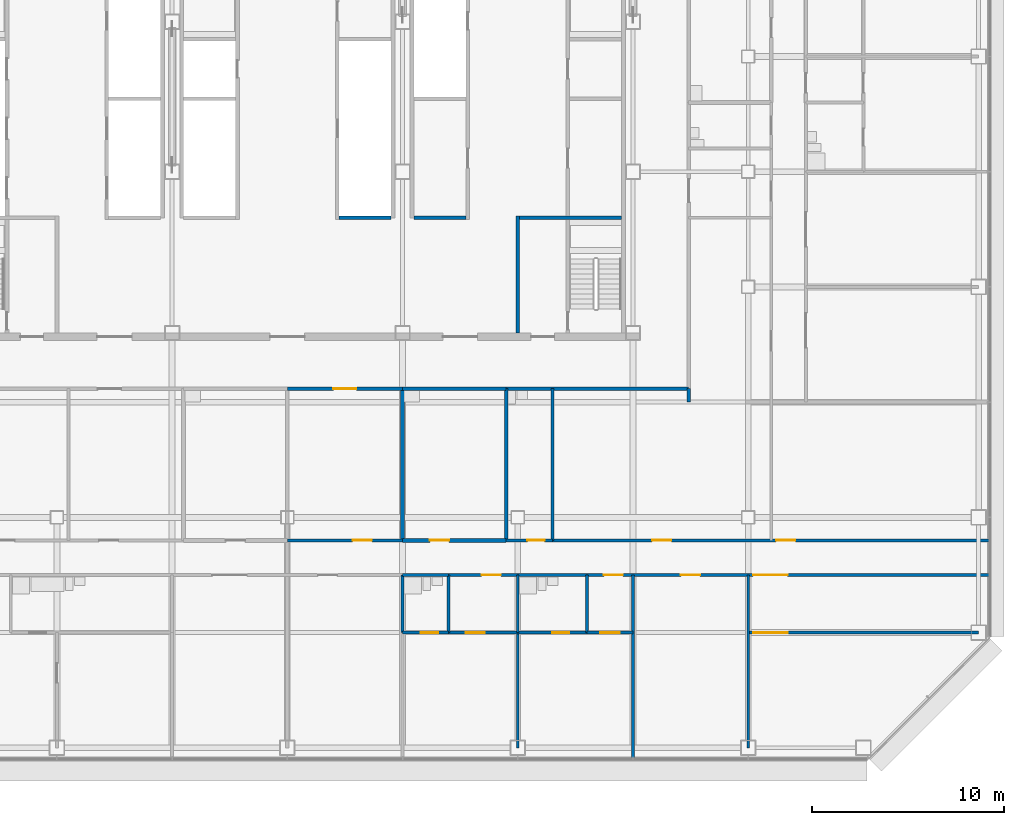
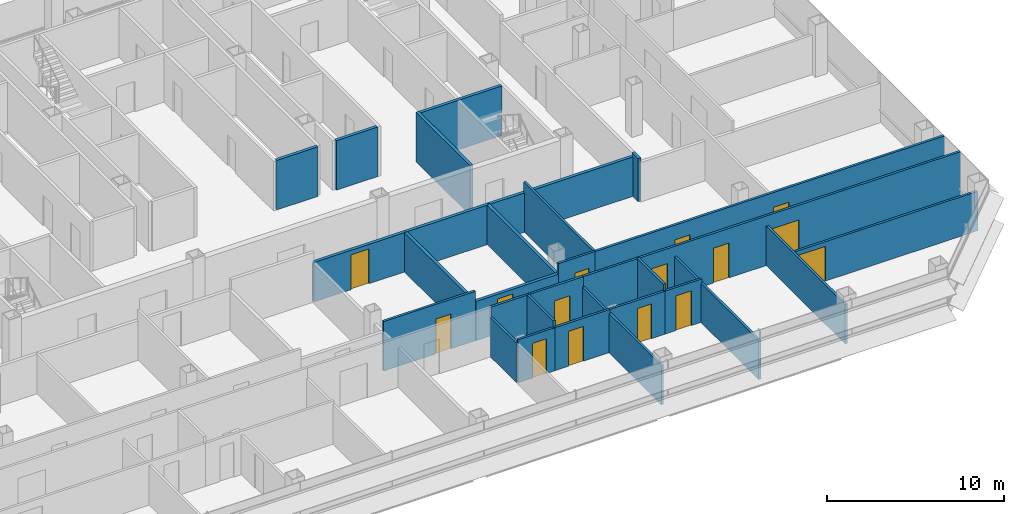
# One storey, part 20 of 25: 31 walls, 15 doors, 15 openings.
"""IFC4 building model written with IfcOpenShell, lengths in metres."""

from ifc_helpers import new_model, si_unit, direction, frame, frame_2d, origin, place, context, subcontext, project, spatial, rectangle, extrude, material, layer, layer_set, type_object, element, fill, save


model = new_model("IFC4")

# Units and contexts
model_context = context("Model", 3, precision=1e-05, world=origin(), true_north=direction((0.0, 1.0)))
body_context = subcontext(model_context, "Body", "Model", "MODEL_VIEW")
ifc_project = project(units=[si_unit("LENGTHUNIT", "METRE"), si_unit("AREAUNIT", "SQUARE_METRE"), si_unit("VOLUMEUNIT", "CUBIC_METRE"), si_unit("PLANEANGLEUNIT", "RADIAN"), si_unit("MASSUNIT", "GRAM", prefix="KILO")], contexts=[model_context])

# Site, building, storey
site_placement = place(None, origin())
site = spatial("IfcSite", under=ifc_project, at=site_placement, CompositionType="ELEMENT")
building_placement = place(site_placement, origin())
building = spatial("IfcBuilding", under=site, at=building_placement, Name="Sorahane Residences", CompositionType="ELEMENT")
storey_placement = place(building_placement, frame((0.0, 0.0, 119.60009765625)))
storey = spatial("IfcBuildingStorey", under=building, at=storey_placement, Name="L26", CompositionType="ELEMENT", Elevation=119.60009765625)

# Wall, opening, door
ifc_material_1 = material(Name="Concrete blockwork C20 wall", Category="masonry")
ifc_layer_1 = layer(ifc_material_1, 0.199951171875)
ifc_layer_set_1 = layer_set([ifc_layer_1], Name="Corridor wall 200 EI 120")
wall_type_1 = type_object("IfcWallType", Name="Corridor wall 200 EI 120", PredefinedType="SOLIDWALL", material=ifc_layer_set_1)
wall_1_placement = place(storey_placement, frame((24.0, 18.699951171875, 0.0), z_axis=(0.0, 0.0, 1.0), x_axis=(1.0, 0.0, 0.0)))
wall_1 = element("IfcWall", 1, at=wall_1_placement, inside=storey, type_object=wall_type_1, Name="L26 corridor wall", PredefinedType="SOLIDWALL", context=body_context, shape_type="SweptSolid", body=[
    extrude(rectangle(XDim=6.0, YDim=0.199951171875, at=frame_2d((3.0, 0.0))), origin(), (0.0, 0.0, 1.0), 2.719970703125),
])
opening_1_placement = place(wall_1_placement, frame((2.39990234375, 0.0, 0.0)))
opening_1 = element("IfcOpeningElement", 2, at=opening_1_placement, cuts=wall_1, Name="Opening L26-41", PredefinedType="OPENING", context=body_context, shape_type="SweptSolid", body=[
    extrude(rectangle(XDim=1.199951171875, YDim=2.39990234375, at=frame_2d((0.60009765625, 1.199951171875))), frame((0.0, 0.10986328125, 0.0), z_axis=(0.0, -1.0, 0.0), x_axis=(1.0, 0.0, 0.0)), (0.0, 0.0, 1.0), 0.219970703125),
])
ifc_material_2 = material(Name="Timber veneered fire door", Category="wood")
door_type_1 = type_object("IfcDoorType", Name="Flat entrance door 1200x2400 FD60", OperationType="NOTDEFINED", PredefinedType="DOOR", material=ifc_material_2)
door_1_placement = place(opening_1_placement, frame((1.199951171875, 0.0, 0.0), z_axis=(0.0, 0.0, 1.0), x_axis=(-1.0, 0.0, 0.0)))
door_1 = element("IfcDoor", 3, at=door_1_placement, inside=storey, type_object=door_type_1, Name="Flat entrance door L26-41", OperationType="SINGLE_SWING_LEFT", OverallHeight=2.39990234375, OverallWidth=1.199951171875, PredefinedType="DOOR", context=body_context, shape_type="SweptSolid", body=[
    extrude(rectangle(XDim=1.199951171875, YDim=2.39990234375, at=frame_2d((0.60009765625, 1.199951171875))), frame((0.0, 0.02490234375, 0.0), z_axis=(0.0, -1.0, 0.0), x_axis=(1.0, 0.0, 0.0)), (0.0, 0.0, 1.0), 0.050048828125),
])
fill(opening_1, door_1)

# Walls
wall_2_placement = place(storey_placement, frame((35.39990234375, 18.699951171875, 0.0), z_axis=(0.0, 0.0, 1.0), x_axis=(1.0, 0.0, 0.0)))
element("IfcWall", 4, at=wall_2_placement, inside=storey, type_object=wall_type_1, Name="L26 corridor wall", PredefinedType="SOLIDWALL", context=body_context, shape_type="SweptSolid", body=[
    extrude(rectangle(XDim=9.5, YDim=0.199951171875, at=frame_2d((4.75, 0.0))), origin(), (0.0, 0.0, 1.0), 2.719970703125),
])
ifc_material_3 = material(Name="Concrete C30", Category="concrete")
ifc_layer_2 = layer(ifc_material_3, 0.199951171875)
ifc_layer_set_2 = layer_set([ifc_layer_2], Name="Front room wall 200 EI 120")
wall_type_2 = type_object("IfcWallType", Name="Front room wall 200 EI 120", PredefinedType="PARTITIONING", material=ifc_layer_set_2)
wall_3_placement = place(storey_placement, frame((36.0, 21.60009765625, 0.0), z_axis=(0.0, 0.0, 1.0), x_axis=(0.0, 1.0, 0.0)))
element("IfcWall", 5, at=wall_3_placement, inside=storey, type_object=wall_type_2, Name="L26 front room wall", PredefinedType="PARTITIONING", context=body_context, shape_type="SweptSolid", body=[
    extrude(rectangle(XDim=6.099853515625, YDim=0.199951171875, at=frame_2d((3.0498046875, 0.0))), origin(), (0.0, 0.0, 1.0), 3.419921875),
])
ifc_material_4 = material(Name="Concrete blockwork C20 wall", Category="masonry")
ifc_layer_3 = layer(ifc_material_4, 0.199951171875)
ifc_layer_set_3 = layer_set([ifc_layer_3], Name="Kitchen wall 200 EI 180")
wall_type_3 = type_object("IfcWallType", Name="Kitchen wall 200 EI 180", PredefinedType="SOLIDWALL", material=ifc_layer_set_3)
for number, where, z_axis, x_axis, name in (
    (6, (30.0, 10.800048828125, 0.0), (0.0, 0.0, 1.0), (0.0, 1.0, 0.0), "L26 kitchen wall"),
    (7, (35.39990234375, 10.800048828125, 0.0), (0.0, 0.0, 1.0), (0.0, 1.0, 0.0), "L26 kitchen wall"),
):
    element("IfcWall", number, at=place(storey_placement, frame(where, z_axis=z_axis, x_axis=x_axis)), inside=storey, type_object=wall_type_3, Name=name, PredefinedType="SOLIDWALL", context=body_context, shape_type="SweptSolid", body=[
        extrude(rectangle(XDim=7.89990234375, YDim=0.199951171875, at=frame_2d((3.949951171875, 0.0))), origin(), (0.0, 0.0, 1.0), 2.719970703125),
    ])

# Wall, opening, door
wall_4_placement = place(storey_placement, frame((30.0, 10.800048828125, 0.0), z_axis=(0.0, 0.0, 1.0), x_axis=(1.0, 0.0, 0.0)))
wall_4 = element("IfcWall", 8, at=wall_4_placement, inside=storey, type_object=wall_type_3, Name="L26 kitchen wall", PredefinedType="SOLIDWALL", context=body_context, shape_type="SweptSolid", body=[
    extrude(rectangle(XDim=5.39990234375, YDim=0.199951171875, at=frame_2d((2.699951171875, 0.0))), origin(), (0.0, 0.0, 1.0), 2.719970703125),
])
opening_2_placement = place(wall_4_placement, frame((1.419921875, 0.0, 0.0)))
opening_2 = element("IfcOpeningElement", 9, at=opening_2_placement, cuts=wall_4, Name="Opening L26-14", PredefinedType="OPENING", context=body_context, shape_type="SweptSolid", body=[
    extrude(rectangle(XDim=1.0, YDim=2.39990234375, at=frame_2d((0.5, 1.199951171875))), frame((0.0, 0.10986328125, 0.0), z_axis=(0.0, -1.0, 0.0), x_axis=(1.0, 0.0, 0.0)), (0.0, 0.0, 1.0), 0.219970703125),
])
ifc_material_5 = material(Name="Steel", Category="steel")
door_type_2 = type_object("IfcDoorType", Name="Kitchen door 1000x2400 FD120", OperationType="NOTDEFINED", PredefinedType="DOOR", material=ifc_material_5)
door_2_placement = place(opening_2_placement, origin())
door_2 = element("IfcDoor", 10, at=door_2_placement, inside=storey, type_object=door_type_2, Name="Kitchen door L26-14", OperationType="SINGLE_SWING_RIGHT", OverallHeight=2.39990234375, OverallWidth=1.0, PredefinedType="DOOR", context=body_context, shape_type="SweptSolid", body=[
    extrude(rectangle(XDim=1.0, YDim=2.39990234375, at=frame_2d((0.5, 1.199951171875))), frame((0.0, 0.02490234375, 0.0), z_axis=(0.0, -1.0, 0.0), x_axis=(1.0, 0.0, 0.0)), (0.0, 0.0, 1.0), 0.050048828125),
])
fill(opening_2, door_2)

# Walls
wall_5_placement = place(storey_placement, frame((30.0, 18.699951171875, 0.0), z_axis=(0.0, 0.0, 1.0), x_axis=(1.0, 0.0, 0.0)))
element("IfcWall", 11, at=wall_5_placement, inside=storey, type_object=wall_type_3, Name="L26 kitchen wall", PredefinedType="SOLIDWALL", context=body_context, shape_type="SweptSolid", body=[
    extrude(rectangle(XDim=5.39990234375, YDim=0.199951171875, at=frame_2d((2.699951171875, 0.0))), origin(), (0.0, 0.0, 1.0), 2.719970703125),
])
ifc_material_6 = material(Name="Gypsum board partition on steel studs", Category="steel")
ifc_layer_4 = layer(ifc_material_6, 0.14990234375)
ifc_layer_set_4 = layer_set([ifc_layer_4], Name="Partition 150 EI 90")
wall_type_4 = type_object("IfcWallType", Name="Partition 150 EI 90", PredefinedType="PARTITIONING", material=ifc_layer_set_4)
wall_6_placement = place(storey_placement, frame((36.0, 0.0, 0.0), z_axis=(0.0, 0.0, 1.0), x_axis=(0.0, 1.0, 0.0)))
element("IfcWall", 12, at=wall_6_placement, inside=storey, type_object=wall_type_4, Name="L26 partition", PredefinedType="PARTITIONING", context=body_context, shape_type="SweptSolid", body=[
    extrude(rectangle(XDim=6.0, YDim=0.14990234375, at=frame_2d((3.0, 0.0))), origin(), (0.0, 0.0, 1.0), 2.719970703125),
])
wall_7_placement = place(storey_placement, frame((42.0, -0.60009765625, 0.0), z_axis=(0.0, 0.0, 1.0), x_axis=(0.0, 1.0, 0.0)))
element("IfcWall", 13, at=wall_7_placement, inside=storey, type_object=wall_type_4, Name="L26 partition", PredefinedType="PARTITIONING", context=body_context, shape_type="SweptSolid", body=[
    extrude(rectangle(XDim=9.60009765625, YDim=0.14990234375, at=frame_2d((4.800048828125, 0.0))), origin(), (0.0, 0.0, 1.0), 2.719970703125),
])
wall_8_placement = place(storey_placement, frame((48.0, 0.0, 0.0), z_axis=(0.0, 0.0, 1.0), x_axis=(0.0, 1.0, 0.0)))
element("IfcWall", 14, at=wall_8_placement, inside=storey, type_object=wall_type_4, Name="L26 partition", PredefinedType="PARTITIONING", context=body_context, shape_type="SweptSolid", body=[
    extrude(rectangle(XDim=9.0, YDim=0.14990234375, at=frame_2d((4.5, 0.0))), origin(), (0.0, 0.0, 1.0), 2.719970703125),
])

# Wall, opening, door
wall_9_placement = place(storey_placement, frame((24.0, 10.800048828125, 0.0), z_axis=(0.0, 0.0, 1.0), x_axis=(1.0, 0.0, 0.0)))
wall_9 = element("IfcWall", 15, at=wall_9_placement, inside=storey, type_object=wall_type_4, Name="L26 partition", PredefinedType="PARTITIONING", context=body_context, shape_type="SweptSolid", body=[
    extrude(rectangle(XDim=6.0, YDim=0.14990234375, at=frame_2d((3.0, 0.0))), origin(), (0.0, 0.0, 1.0), 3.419921875),
])
opening_3_placement = place(wall_9_placement, frame((3.39990234375, 0.0, 0.0)))
opening_3 = element("IfcOpeningElement", 16, at=opening_3_placement, cuts=wall_9, Name="Opening L26-13", PredefinedType="OPENING", context=body_context, shape_type="SweptSolid", body=[
    extrude(rectangle(XDim=1.0, YDim=2.39990234375, at=frame_2d((0.5, 1.199951171875))), frame((0.0, 0.0849609375, 0.0), z_axis=(0.0, -1.0, 0.0), x_axis=(1.0, 0.0, 0.0)), (0.0, 0.0, 1.0), 0.169921875),
])
ifc_material_7 = material(Name="Timber veneered fire door", Category="wood")
door_type_3 = type_object("IfcDoorType", Name="Room door 1000x2400 FD30", OperationType="NOTDEFINED", PredefinedType="DOOR", material=ifc_material_7)
door_3_placement = place(opening_3_placement, frame((1.0, 0.0, 0.0), z_axis=(0.0, 0.0, 1.0), x_axis=(-1.0, 0.0, 0.0)))
door_3 = element("IfcDoor", 17, at=door_3_placement, inside=storey, type_object=door_type_3, Name="Room door L26-13", OperationType="SINGLE_SWING_RIGHT", OverallHeight=2.39990234375, OverallWidth=1.0, PredefinedType="DOOR", context=body_context, shape_type="SweptSolid", body=[
    extrude(rectangle(XDim=1.0, YDim=2.39990234375, at=frame_2d((0.5, 1.199951171875))), frame((0.0, 0.02490234375, 0.0), z_axis=(0.0, -1.0, 0.0), x_axis=(1.0, 0.0, 0.0)), (0.0, 0.0, 1.0), 0.050048828125),
])
fill(opening_3, door_3)

# Wall, openings, doors
wall_10_placement = place(storey_placement, frame((37.800048828125, 10.800048828125, 0.0), z_axis=(0.0, 0.0, 1.0), x_axis=(1.0, 0.0, 0.0)))
wall_10 = element("IfcWall", 18, at=wall_10_placement, inside=storey, type_object=wall_type_4, Name="L26 partition", PredefinedType="PARTITIONING", context=body_context, shape_type="SweptSolid", body=[
    extrude(rectangle(XDim=22.800048828125, YDim=0.14990234375, at=frame_2d((11.39990234375, 0.0))), origin(), (0.0, 0.0, 1.0), 3.419921875),
])
opening_4_placement = place(wall_10_placement, frame((5.199951171875, 0.0, 0.0)))
opening_4 = element("IfcOpeningElement", 19, at=opening_4_placement, cuts=wall_10, Name="Opening L26-16", PredefinedType="OPENING", context=body_context, shape_type="SweptSolid", body=[
    extrude(rectangle(XDim=1.0, YDim=2.39990234375, at=frame_2d((0.5, 1.199951171875))), frame((0.0, 0.0849609375, 0.0), z_axis=(0.0, -1.0, 0.0), x_axis=(1.0, 0.0, 0.0)), (0.0, 0.0, 1.0), 0.169921875),
])
opening_5_placement = place(wall_10_placement, frame((11.64990234375, 0.0, 0.0)))
opening_5 = element("IfcOpeningElement", 20, at=opening_5_placement, cuts=wall_10, Name="Opening L26-17", PredefinedType="OPENING", context=body_context, shape_type="SweptSolid", body=[
    extrude(rectangle(XDim=1.0, YDim=2.39990234375, at=frame_2d((0.5, 1.199951171875))), frame((0.0, 0.0849609375, 0.0), z_axis=(0.0, -1.0, 0.0), x_axis=(1.0, 0.0, 0.0)), (0.0, 0.0, 1.0), 0.169921875),
])
door_4_placement = place(opening_4_placement, origin())
door_4 = element("IfcDoor", 21, at=door_4_placement, inside=storey, type_object=door_type_3, Name="Room door L26-16", OperationType="SINGLE_SWING_LEFT", OverallHeight=2.39990234375, OverallWidth=1.0, PredefinedType="DOOR", context=body_context, shape_type="SweptSolid", body=[
    extrude(rectangle(XDim=1.0, YDim=2.39990234375, at=frame_2d((0.5, 1.199951171875))), frame((0.0, 0.02490234375, 0.0), z_axis=(0.0, -1.0, 0.0), x_axis=(1.0, 0.0, 0.0)), (0.0, 0.0, 1.0), 0.050048828125),
])
fill(opening_4, door_4)
door_5_placement = place(opening_5_placement, origin())
door_5 = element("IfcDoor", 22, at=door_5_placement, inside=storey, type_object=door_type_3, Name="Room door L26-17", OperationType="SINGLE_SWING_RIGHT", OverallHeight=2.39990234375, OverallWidth=1.0, PredefinedType="DOOR", context=body_context, shape_type="SweptSolid", body=[
    extrude(rectangle(XDim=1.0, YDim=2.39990234375, at=frame_2d((0.5, 1.199951171875))), frame((0.0, 0.02490234375, 0.0), z_axis=(0.0, -1.0, 0.0), x_axis=(1.0, 0.0, 0.0)), (0.0, 0.0, 1.0), 0.050048828125),
])
fill(opening_5, door_5)

# Wall, opening, door
wall_11_placement = place(storey_placement, frame((32.39990234375, 6.0, 0.0), z_axis=(0.0, 0.0, 1.0), x_axis=(1.0, 0.0, 0.0)))
wall_11 = element("IfcWall", 23, at=wall_11_placement, inside=storey, type_object=wall_type_4, Name="L26 partition", PredefinedType="PARTITIONING", context=body_context, shape_type="SweptSolid", body=[
    extrude(rectangle(XDim=3.60009765625, YDim=0.14990234375, at=frame_2d((1.800048828125, 0.0))), origin(), (0.0, 0.0, 1.0), 2.969970703125),
])
opening_6_placement = place(wall_11_placement, frame((0.8798828125, 0.0, 0.0)))
opening_6 = element("IfcOpeningElement", 24, at=opening_6_placement, cuts=wall_11, Name="Opening L26-23", PredefinedType="OPENING", context=body_context, shape_type="SweptSolid", body=[
    extrude(rectangle(XDim=1.0, YDim=2.39990234375, at=frame_2d((0.5, 1.199951171875))), frame((0.0, 0.0849609375, 0.0), z_axis=(0.0, -1.0, 0.0), x_axis=(1.0, 0.0, 0.0)), (0.0, 0.0, 1.0), 0.169921875),
])
door_6_placement = place(opening_6_placement, frame((1.0, 0.0, 0.0), z_axis=(0.0, 0.0, 1.0), x_axis=(-1.0, 0.0, 0.0)))
door_6 = element("IfcDoor", 25, at=door_6_placement, inside=storey, type_object=door_type_3, Name="Room door L26-23", OperationType="SINGLE_SWING_RIGHT", OverallHeight=2.39990234375, OverallWidth=1.0, PredefinedType="DOOR", context=body_context, shape_type="SweptSolid", body=[
    extrude(rectangle(XDim=1.0, YDim=2.39990234375, at=frame_2d((0.5, 1.199951171875))), frame((0.0, 0.02490234375, 0.0), z_axis=(0.0, -1.0, 0.0), x_axis=(1.0, 0.0, 0.0)), (0.0, 0.0, 1.0), 0.050048828125),
])
fill(opening_6, door_6)

wall_12_placement = place(storey_placement, frame((39.60009765625, 6.0, 0.0), z_axis=(0.0, 0.0, 1.0), x_axis=(1.0, 0.0, 0.0)))
wall_12 = element("IfcWall", 26, at=wall_12_placement, inside=storey, type_object=wall_type_4, Name="L26 partition", PredefinedType="PARTITIONING", context=body_context, shape_type="SweptSolid", body=[
    extrude(rectangle(XDim=2.39990234375, YDim=0.14990234375, at=frame_2d((1.199951171875, 0.0))), origin(), (0.0, 0.0, 1.0), 2.969970703125),
])
opening_7_placement = place(wall_12_placement, frame((0.699951171875, 0.0, 0.0)))
opening_7 = element("IfcOpeningElement", 27, at=opening_7_placement, cuts=wall_12, Name="Opening L26-25", PredefinedType="OPENING", context=body_context, shape_type="SweptSolid", body=[
    extrude(rectangle(XDim=1.0, YDim=2.39990234375, at=frame_2d((0.5, 1.199951171875))), frame((0.0, 0.0849609375, 0.0), z_axis=(0.0, -1.0, 0.0), x_axis=(1.0, 0.0, 0.0)), (0.0, 0.0, 1.0), 0.169921875),
])
door_7_placement = place(opening_7_placement, frame((1.0, 0.0, 0.0), z_axis=(0.0, 0.0, 1.0), x_axis=(-1.0, 0.0, 0.0)))
door_7 = element("IfcDoor", 28, at=door_7_placement, inside=storey, type_object=door_type_3, Name="Room door L26-25", OperationType="SINGLE_SWING_LEFT", OverallHeight=2.39990234375, OverallWidth=1.0, PredefinedType="DOOR", context=body_context, shape_type="SweptSolid", body=[
    extrude(rectangle(XDim=1.0, YDim=2.39990234375, at=frame_2d((0.5, 1.199951171875))), frame((0.0, 0.02490234375, 0.0), z_axis=(0.0, -1.0, 0.0), x_axis=(1.0, 0.0, 0.0)), (0.0, 0.0, 1.0), 0.050048828125),
])
fill(opening_7, door_7)

wall_13_placement = place(storey_placement, frame((48.0, 6.0, 0.0), z_axis=(0.0, 0.0, 1.0), x_axis=(1.0, 0.0, 0.0)))
wall_13 = element("IfcWall", 29, at=wall_13_placement, inside=storey, type_object=wall_type_4, Name="L26 partition", PredefinedType="PARTITIONING", context=body_context, shape_type="SweptSolid", body=[
    extrude(rectangle(XDim=12.0, YDim=0.14990234375, at=frame_2d((6.0, 0.0))), origin(), (0.0, 0.0, 1.0), 2.719970703125),
])
opening_8_placement = place(wall_13_placement, frame((0.25, 0.0, 0.0)))
opening_8 = element("IfcOpeningElement", 30, at=opening_8_placement, cuts=wall_13, Name="Opening L26-27", PredefinedType="OPENING", context=body_context, shape_type="SweptSolid", body=[
    extrude(rectangle(XDim=1.800048828125, YDim=2.39990234375, at=frame_2d((0.89990234375, 1.199951171875))), frame((0.0, 0.0849609375, 0.0), z_axis=(0.0, -1.0, 0.0), x_axis=(1.0, 0.0, 0.0)), (0.0, 0.0, 1.0), 0.169921875),
])
ifc_material_8 = material(Name="Timber veneered fire door", Category="wood")
door_type_4 = type_object("IfcDoorType", Name="Double door 1800x2400 FD30", OperationType="NOTDEFINED", PredefinedType="DOOR", material=ifc_material_8)
door_8_placement = place(opening_8_placement, frame((1.800048828125, 0.0, 0.0), z_axis=(0.0, 0.0, 1.0), x_axis=(-1.0, 0.0, 0.0)))
door_8 = element("IfcDoor", 31, at=door_8_placement, inside=storey, type_object=door_type_4, Name="Double door L26-27", OperationType="SINGLE_SWING_LEFT", OverallHeight=2.39990234375, OverallWidth=1.800048828125, PredefinedType="DOOR", context=body_context, shape_type="SweptSolid", body=[
    extrude(rectangle(XDim=1.800048828125, YDim=2.39990234375, at=frame_2d((0.89990234375, 1.199951171875))), frame((0.0, 0.02490234375, 0.0), z_axis=(0.0, -1.0, 0.0), x_axis=(1.0, 0.0, 0.0)), (0.0, 0.0, 1.0), 0.050048828125),
])
fill(opening_8, door_8)

wall_14_placement = place(storey_placement, frame((32.39990234375, 9.0, 0.0), z_axis=(0.0, 0.0, 1.0), x_axis=(1.0, 0.0, 0.0)))
wall_14 = element("IfcWall", 32, at=wall_14_placement, inside=storey, type_object=wall_type_4, Name="L26 partition", PredefinedType="PARTITIONING", context=body_context, shape_type="SweptSolid", body=[
    extrude(rectangle(XDim=3.60009765625, YDim=0.14990234375, at=frame_2d((1.800048828125, 0.0))), origin(), (0.0, 0.0, 1.0), 3.419921875),
])
opening_9_placement = place(wall_14_placement, frame((1.719970703125, 0.0, 0.0)))
opening_9 = element("IfcOpeningElement", 33, at=opening_9_placement, cuts=wall_14, Name="Opening L26-19", PredefinedType="OPENING", context=body_context, shape_type="SweptSolid", body=[
    extrude(rectangle(XDim=1.0, YDim=2.39990234375, at=frame_2d((0.5, 1.199951171875))), frame((0.0, 0.0849609375, 0.0), z_axis=(0.0, -1.0, 0.0), x_axis=(1.0, 0.0, 0.0)), (0.0, 0.0, 1.0), 0.169921875),
])
door_9_placement = place(opening_9_placement, frame((1.0, 0.0, 0.0), z_axis=(0.0, 0.0, 1.0), x_axis=(-1.0, 0.0, 0.0)))
door_9 = element("IfcDoor", 34, at=door_9_placement, inside=storey, type_object=door_type_3, Name="Room door L26-19", OperationType="SINGLE_SWING_LEFT", OverallHeight=2.39990234375, OverallWidth=1.0, PredefinedType="DOOR", context=body_context, shape_type="SweptSolid", body=[
    extrude(rectangle(XDim=1.0, YDim=2.39990234375, at=frame_2d((0.5, 1.199951171875))), frame((0.0, 0.02490234375, 0.0), z_axis=(0.0, -1.0, 0.0), x_axis=(1.0, 0.0, 0.0)), (0.0, 0.0, 1.0), 0.050048828125),
])
fill(opening_9, door_9)

# Wall, openings, doors
wall_15_placement = place(storey_placement, frame((39.60009765625, 9.0, 0.0), z_axis=(0.0, 0.0, 1.0), x_axis=(1.0, 0.0, 0.0)))
wall_15 = element("IfcWall", 35, at=wall_15_placement, inside=storey, type_object=wall_type_4, Name="L26 partition", PredefinedType="PARTITIONING", context=body_context, shape_type="SweptSolid", body=[
    extrude(rectangle(XDim=21.0, YDim=0.14990234375, at=frame_2d((10.5, 0.0))), origin(), (0.0, 0.0, 1.0), 3.419921875),
])
opening_10_placement = place(wall_15_placement, frame((0.8798828125, 0.0, 0.0)))
opening_10 = element("IfcOpeningElement", 36, at=opening_10_placement, cuts=wall_15, Name="Opening L26-20", PredefinedType="OPENING", context=body_context, shape_type="SweptSolid", body=[
    extrude(rectangle(XDim=1.0, YDim=2.39990234375, at=frame_2d((0.5, 1.199951171875))), frame((0.0, 0.0849609375, 0.0), z_axis=(0.0, -1.0, 0.0), x_axis=(1.0, 0.0, 0.0)), (0.0, 0.0, 1.0), 0.169921875),
])
opening_11_placement = place(wall_15_placement, frame((4.89990234375, 0.0, 0.0)))
opening_11 = element("IfcOpeningElement", 37, at=opening_11_placement, cuts=wall_15, Name="Opening L26-21", PredefinedType="OPENING", context=body_context, shape_type="SweptSolid", body=[
    extrude(rectangle(XDim=1.0, YDim=2.39990234375, at=frame_2d((0.5, 1.199951171875))), frame((0.0, 0.0849609375, 0.0), z_axis=(0.0, -1.0, 0.0), x_axis=(1.0, 0.0, 0.0)), (0.0, 0.0, 1.0), 0.169921875),
])
opening_12_placement = place(wall_15_placement, frame((8.64990234375, 0.0, 0.0)))
opening_12 = element("IfcOpeningElement", 38, at=opening_12_placement, cuts=wall_15, Name="Opening L26-22", PredefinedType="OPENING", context=body_context, shape_type="SweptSolid", body=[
    extrude(rectangle(XDim=1.800048828125, YDim=2.39990234375, at=frame_2d((0.89990234375, 1.199951171875))), frame((0.0, 0.0849609375, 0.0), z_axis=(0.0, -1.0, 0.0), x_axis=(1.0, 0.0, 0.0)), (0.0, 0.0, 1.0), 0.169921875),
])
door_10_placement = place(opening_12_placement, frame((1.800048828125, 0.0, 0.0), z_axis=(0.0, 0.0, 1.0), x_axis=(-1.0, 0.0, 0.0)))
door_10 = element("IfcDoor", 39, at=door_10_placement, inside=storey, type_object=door_type_4, Name="Double door L26-22", OperationType="SINGLE_SWING_LEFT", OverallHeight=2.39990234375, OverallWidth=1.800048828125, PredefinedType="DOOR", context=body_context, shape_type="SweptSolid", body=[
    extrude(rectangle(XDim=1.800048828125, YDim=2.39990234375, at=frame_2d((0.89990234375, 1.199951171875))), frame((0.0, 0.02490234375, 0.0), z_axis=(0.0, -1.0, 0.0), x_axis=(1.0, 0.0, 0.0)), (0.0, 0.0, 1.0), 0.050048828125),
])
fill(opening_12, door_10)
door_11_placement = place(opening_10_placement, frame((1.0, 0.0, 0.0), z_axis=(0.0, 0.0, 1.0), x_axis=(-1.0, 0.0, 0.0)))
door_11 = element("IfcDoor", 40, at=door_11_placement, inside=storey, type_object=door_type_3, Name="Room door L26-20", OperationType="SINGLE_SWING_LEFT", OverallHeight=2.39990234375, OverallWidth=1.0, PredefinedType="DOOR", context=body_context, shape_type="SweptSolid", body=[
    extrude(rectangle(XDim=1.0, YDim=2.39990234375, at=frame_2d((0.5, 1.199951171875))), frame((0.0, 0.02490234375, 0.0), z_axis=(0.0, -1.0, 0.0), x_axis=(1.0, 0.0, 0.0)), (0.0, 0.0, 1.0), 0.050048828125),
])
fill(opening_10, door_11)
door_12_placement = place(opening_11_placement, frame((1.0, 0.0, 0.0), z_axis=(0.0, 0.0, 1.0), x_axis=(-1.0, 0.0, 0.0)))
door_12 = element("IfcDoor", 41, at=door_12_placement, inside=storey, type_object=door_type_3, Name="Room door L26-21", OperationType="SINGLE_SWING_RIGHT", OverallHeight=2.39990234375, OverallWidth=1.0, PredefinedType="DOOR", context=body_context, shape_type="SweptSolid", body=[
    extrude(rectangle(XDim=1.0, YDim=2.39990234375, at=frame_2d((0.5, 1.199951171875))), frame((0.0, 0.02490234375, 0.0), z_axis=(0.0, -1.0, 0.0), x_axis=(1.0, 0.0, 0.0)), (0.0, 0.0, 1.0), 0.050048828125),
])
fill(opening_11, door_12)

# Walls
ifc_material_9 = material(Name="Concrete blockwork C20 wall", Category="masonry")
ifc_layer_5 = layer(ifc_material_9, 0.199951171875)
ifc_layer_set_5 = layer_set([ifc_layer_5], Name="Party wall 200 EI 120")
wall_type_5 = type_object("IfcWallType", Name="Party wall 200 EI 120", PredefinedType="SOLIDWALL", material=ifc_layer_set_5)
wall_16_placement = place(storey_placement, frame((44.89990234375, 18.0, 0.0), z_axis=(0.0, 0.0, 1.0), x_axis=(0.0, 1.0, 0.0)))
element("IfcWall", 42, at=wall_16_placement, inside=storey, type_object=wall_type_5, Name="L26 party wall", PredefinedType="SOLIDWALL", context=body_context, shape_type="SweptSolid", body=[
    extrude(rectangle(XDim=0.699951171875, YDim=0.199951171875, at=frame_2d((0.35009765625, 0.0))), origin(), (0.0, 0.0, 1.0), 2.969970703125),
])
ifc_material_10 = material(Name="Concrete C30", Category="concrete")
ifc_layer_6 = layer(ifc_material_10, 0.199951171875)
ifc_layer_set_6 = layer_set([ifc_layer_6], Name="Riser shaft wall 200 EI 120")
wall_type_6 = type_object("IfcWallType", Name="Riser shaft wall 200 EI 120", PredefinedType="SOLIDWALL", material=ifc_layer_set_6)
wall_17_placement = place(storey_placement, frame((26.699951171875, 27.60009765625, 0.0), z_axis=(0.0, 0.0, 1.0), x_axis=(1.0, 0.0, 0.0)))
element("IfcWall", 43, at=wall_17_placement, inside=storey, type_object=wall_type_6, Name="L26 riser wall", PredefinedType="SOLIDWALL", context=body_context, shape_type="SweptSolid", body=[
    extrude(rectangle(XDim=2.699951171875, YDim=0.199951171875, at=frame_2d((1.35009765625, 0.0))), origin(), (0.0, 0.0, 1.0), 3.419921875),
])
ifc_material_11 = material(Name="Concrete C30", Category="concrete")
ifc_layer_7 = layer(ifc_material_11, 0.199951171875)
ifc_layer_set_7 = layer_set([ifc_layer_7], Name="Service room partition 200 EI 60")
wall_type_7 = type_object("IfcWallType", Name="Service room partition 200 EI 60", PredefinedType="PARTITIONING", material=ifc_layer_set_7)
wall_18_placement = place(storey_placement, frame((30.60009765625, 27.60009765625, 0.0), z_axis=(0.0, 0.0, 1.0), x_axis=(1.0, 0.0, 0.0)))
element("IfcWall", 44, at=wall_18_placement, inside=storey, type_object=wall_type_7, Name="L26 service room wall", PredefinedType="PARTITIONING", context=body_context, shape_type="SweptSolid", body=[
    extrude(rectangle(XDim=2.699951171875, YDim=0.199951171875, at=frame_2d((1.35009765625, 0.0))), origin(), (0.0, 0.0, 1.0), 3.419921875),
])
ifc_material_12 = material(Name="Concrete C30", Category="concrete")
ifc_layer_8 = layer(ifc_material_12, 0.199951171875)
ifc_layer_set_8 = layer_set([ifc_layer_8], Name="Stair enclosure wall 200 EI 120")
wall_type_8 = type_object("IfcWallType", Name="Stair enclosure wall 200 EI 120", PredefinedType="SOLIDWALL", material=ifc_layer_set_8)
wall_19_placement = place(storey_placement, frame((36.10009765625, 27.60009765625, 0.0), z_axis=(0.0, 0.0, 1.0), x_axis=(1.0, 0.0, 0.0)))
element("IfcWall", 45, at=wall_19_placement, inside=storey, type_object=wall_type_8, Name="L26 stair enclosure wall", PredefinedType="SOLIDWALL", context=body_context, shape_type="SweptSolid", body=[
    extrude(rectangle(XDim=5.2998046875, YDim=0.199951171875, at=frame_2d((2.64990234375, 0.0))), origin(), (0.0, 0.0, 1.0), 3.419921875),
])
ifc_material_13 = material(Name="Gypsum board partition on steel studs", Category="steel")
ifc_layer_9 = layer(ifc_material_13, 0.14990234375)
ifc_layer_set_9 = layer_set([ifc_layer_9], Name="Wet wall 150 EI 90")
wall_type_9 = type_object("IfcWallType", Name="Wet wall 150 EI 90", PredefinedType="PARTITIONING", material=ifc_layer_set_9)
wall_20_placement = place(storey_placement, frame((30.0, 6.0, 0.0), z_axis=(0.0, 0.0, 1.0), x_axis=(0.0, 1.0, 0.0)))
element("IfcWall", 46, at=wall_20_placement, inside=storey, type_object=wall_type_9, Name="L26 wet wall", PredefinedType="PARTITIONING", context=body_context, shape_type="SweptSolid", body=[
    extrude(rectangle(XDim=3.0, YDim=0.14990234375, at=frame_2d((1.5, 0.0))), origin(), (0.0, 0.0, 1.0), 2.719970703125),
])
wall_21_placement = place(storey_placement, frame((32.39990234375, 6.0, 0.0), z_axis=(0.0, 0.0, 1.0), x_axis=(0.0, 1.0, 0.0)))
element("IfcWall", 47, at=wall_21_placement, inside=storey, type_object=wall_type_9, Name="L26 wet wall", PredefinedType="PARTITIONING", context=body_context, shape_type="SweptSolid", body=[
    extrude(rectangle(XDim=3.0, YDim=0.14990234375, at=frame_2d((1.5, 0.0))), origin(), (0.0, 0.0, 1.0), 3.419921875),
])
wall_22_placement = place(storey_placement, frame((36.0, 6.0, 0.0), z_axis=(0.0, 0.0, 1.0), x_axis=(0.0, 1.0, 0.0)))
element("IfcWall", 48, at=wall_22_placement, inside=storey, type_object=wall_type_9, Name="L26 wet wall", PredefinedType="PARTITIONING", context=body_context, shape_type="SweptSolid", body=[
    extrude(rectangle(XDim=3.0, YDim=0.14990234375, at=frame_2d((1.5, 0.0))), origin(), (0.0, 0.0, 1.0), 2.719970703125),
])
wall_23_placement = place(storey_placement, frame((37.800048828125, 10.800048828125, 0.0), z_axis=(0.0, 0.0, 1.0), x_axis=(0.0, 1.0, 0.0)))
element("IfcWall", 49, at=wall_23_placement, inside=storey, type_object=wall_type_9, Name="L26 wet wall", PredefinedType="PARTITIONING", context=body_context, shape_type="SweptSolid", body=[
    extrude(rectangle(XDim=7.89990234375, YDim=0.14990234375, at=frame_2d((3.949951171875, 0.0))), origin(), (0.0, 0.0, 1.0), 3.419921875),
])
wall_24_placement = place(storey_placement, frame((39.60009765625, 6.0, 0.0), z_axis=(0.0, 0.0, 1.0), x_axis=(0.0, 1.0, 0.0)))
element("IfcWall", 50, at=wall_24_placement, inside=storey, type_object=wall_type_9, Name="L26 wet wall", PredefinedType="PARTITIONING", context=body_context, shape_type="SweptSolid", body=[
    extrude(rectangle(XDim=3.0, YDim=0.14990234375, at=frame_2d((1.5, 0.0))), origin(), (0.0, 0.0, 1.0), 3.419921875),
])

# Wall, opening, door
wall_25_placement = place(storey_placement, frame((35.39990234375, 10.800048828125, 0.0), z_axis=(0.0, 0.0, 1.0), x_axis=(1.0, 0.0, 0.0)))
wall_25 = element("IfcWall", 51, at=wall_25_placement, inside=storey, type_object=wall_type_9, Name="L26 wet wall", PredefinedType="PARTITIONING", context=body_context, shape_type="SweptSolid", body=[
    extrude(rectangle(XDim=2.400146484375, YDim=0.14990234375, at=frame_2d((1.2001953125, 0.0))), origin(), (0.0, 0.0, 1.0), 3.419921875),
])
opening_13_placement = place(wall_25_placement, frame((1.10009765625, 0.0, 0.0)))
opening_13 = element("IfcOpeningElement", 52, at=opening_13_placement, cuts=wall_25, Name="Opening L26-15", PredefinedType="OPENING", context=body_context, shape_type="SweptSolid", body=[
    extrude(rectangle(XDim=0.89990234375, YDim=2.39990234375, at=frame_2d((0.449951171875, 1.199951171875))), frame((0.0, 0.0849609375, 0.0), z_axis=(0.0, -1.0, 0.0), x_axis=(1.0, 0.0, 0.0)), (0.0, 0.0, 1.0), 0.169921875),
])
ifc_material_14 = material(Name="Timber veneered fire door", Category="wood")
door_type_5 = type_object("IfcDoorType", Name="Bathroom door 900x2400 FD30", OperationType="NOTDEFINED", PredefinedType="DOOR", material=ifc_material_14)
door_13_placement = place(opening_13_placement, frame((0.89990234375, 0.0, 0.0), z_axis=(0.0, 0.0, 1.0), x_axis=(-1.0, 0.0, 0.0)))
door_13 = element("IfcDoor", 53, at=door_13_placement, inside=storey, type_object=door_type_5, Name="Bathroom door L26-15", OperationType="SINGLE_SWING_RIGHT", OverallHeight=2.39990234375, OverallWidth=0.89990234375, PredefinedType="DOOR", context=body_context, shape_type="SweptSolid", body=[
    extrude(rectangle(XDim=0.89990234375, YDim=2.39990234375, at=frame_2d((0.449951171875, 1.199951171875))), frame((0.0, 0.02490234375, 0.0), z_axis=(0.0, -1.0, 0.0), x_axis=(1.0, 0.0, 0.0)), (0.0, 0.0, 1.0), 0.050048828125),
])
fill(opening_13, door_13)

wall_26_placement = place(storey_placement, frame((30.0, 6.0, 0.0), z_axis=(0.0, 0.0, 1.0), x_axis=(1.0, 0.0, 0.0)))
wall_26 = element("IfcWall", 54, at=wall_26_placement, inside=storey, type_object=wall_type_9, Name="L26 wet wall", PredefinedType="PARTITIONING", context=body_context, shape_type="SweptSolid", body=[
    extrude(rectangle(XDim=2.39990234375, YDim=0.14990234375, at=frame_2d((1.199951171875, 0.0))), origin(), (0.0, 0.0, 1.0), 2.969970703125),
])
opening_14_placement = place(wall_26_placement, frame((0.949951171875, 0.0, 0.0)))
opening_14 = element("IfcOpeningElement", 55, at=opening_14_placement, cuts=wall_26, Name="Opening L26-24", PredefinedType="OPENING", context=body_context, shape_type="SweptSolid", body=[
    extrude(rectangle(XDim=0.89990234375, YDim=2.39990234375, at=frame_2d((0.449951171875, 1.199951171875))), frame((0.0, 0.0849609375, 0.0), z_axis=(0.0, -1.0, 0.0), x_axis=(1.0, 0.0, 0.0)), (0.0, 0.0, 1.0), 0.169921875),
])
door_14_placement = place(opening_14_placement, frame((0.89990234375, 0.0, 0.0), z_axis=(0.0, 0.0, 1.0), x_axis=(-1.0, 0.0, 0.0)))
door_14 = element("IfcDoor", 56, at=door_14_placement, inside=storey, type_object=door_type_5, Name="Bathroom door L26-24", OperationType="SINGLE_SWING_RIGHT", OverallHeight=2.39990234375, OverallWidth=0.89990234375, PredefinedType="DOOR", context=body_context, shape_type="SweptSolid", body=[
    extrude(rectangle(XDim=0.89990234375, YDim=2.39990234375, at=frame_2d((0.449951171875, 1.199951171875))), frame((0.0, 0.02490234375, 0.0), z_axis=(0.0, -1.0, 0.0), x_axis=(1.0, 0.0, 0.0)), (0.0, 0.0, 1.0), 0.050048828125),
])
fill(opening_14, door_14)

wall_27_placement = place(storey_placement, frame((36.0, 6.0, 0.0), z_axis=(0.0, 0.0, 1.0), x_axis=(1.0, 0.0, 0.0)))
wall_27 = element("IfcWall", 57, at=wall_27_placement, inside=storey, type_object=wall_type_9, Name="L26 wet wall", PredefinedType="PARTITIONING", context=body_context, shape_type="SweptSolid", body=[
    extrude(rectangle(XDim=3.60009765625, YDim=0.14990234375, at=frame_2d((1.800048828125, 0.0))), origin(), (0.0, 0.0, 1.0), 2.969970703125),
])
opening_15_placement = place(wall_27_placement, frame((1.7900390625, 0.0, 0.0)))
opening_15 = element("IfcOpeningElement", 58, at=opening_15_placement, cuts=wall_27, Name="Opening L26-26", PredefinedType="OPENING", context=body_context, shape_type="SweptSolid", body=[
    extrude(rectangle(XDim=0.89990234375, YDim=2.39990234375, at=frame_2d((0.449951171875, 1.199951171875))), frame((0.0, 0.0849609375, 0.0), z_axis=(0.0, -1.0, 0.0), x_axis=(1.0, 0.0, 0.0)), (0.0, 0.0, 1.0), 0.169921875),
])
door_15_placement = place(opening_15_placement, frame((0.89990234375, 0.0, 0.0), z_axis=(0.0, 0.0, 1.0), x_axis=(-1.0, 0.0, 0.0)))
door_15 = element("IfcDoor", 59, at=door_15_placement, inside=storey, type_object=door_type_5, Name="Bathroom door L26-26", OperationType="SINGLE_SWING_LEFT", OverallHeight=2.39990234375, OverallWidth=0.89990234375, PredefinedType="DOOR", context=body_context, shape_type="SweptSolid", body=[
    extrude(rectangle(XDim=0.89990234375, YDim=2.39990234375, at=frame_2d((0.449951171875, 1.199951171875))), frame((0.0, 0.02490234375, 0.0), z_axis=(0.0, -1.0, 0.0), x_axis=(1.0, 0.0, 0.0)), (0.0, 0.0, 1.0), 0.050048828125),
])
fill(opening_15, door_15)

# Walls
wall_28_placement = place(storey_placement, frame((30.0, 9.0, 0.0), z_axis=(0.0, 0.0, 1.0), x_axis=(1.0, 0.0, 0.0)))
element("IfcWall", 60, at=wall_28_placement, inside=storey, type_object=wall_type_9, Name="L26 wet wall", PredefinedType="PARTITIONING", context=body_context, shape_type="SweptSolid", body=[
    extrude(rectangle(XDim=2.39990234375, YDim=0.14990234375, at=frame_2d((1.199951171875, 0.0))), origin(), (0.0, 0.0, 1.0), 3.419921875),
])
wall_29_placement = place(storey_placement, frame((36.0, 9.0, 0.0), z_axis=(0.0, 0.0, 1.0), x_axis=(1.0, 0.0, 0.0)))
element("IfcWall", 61, at=wall_29_placement, inside=storey, type_object=wall_type_9, Name="L26 wet wall", PredefinedType="PARTITIONING", context=body_context, shape_type="SweptSolid", body=[
    extrude(rectangle(XDim=3.60009765625, YDim=0.14990234375, at=frame_2d((1.800048828125, 0.0))), origin(), (0.0, 0.0, 1.0), 3.419921875),
])

save(model, "model.ifc")
